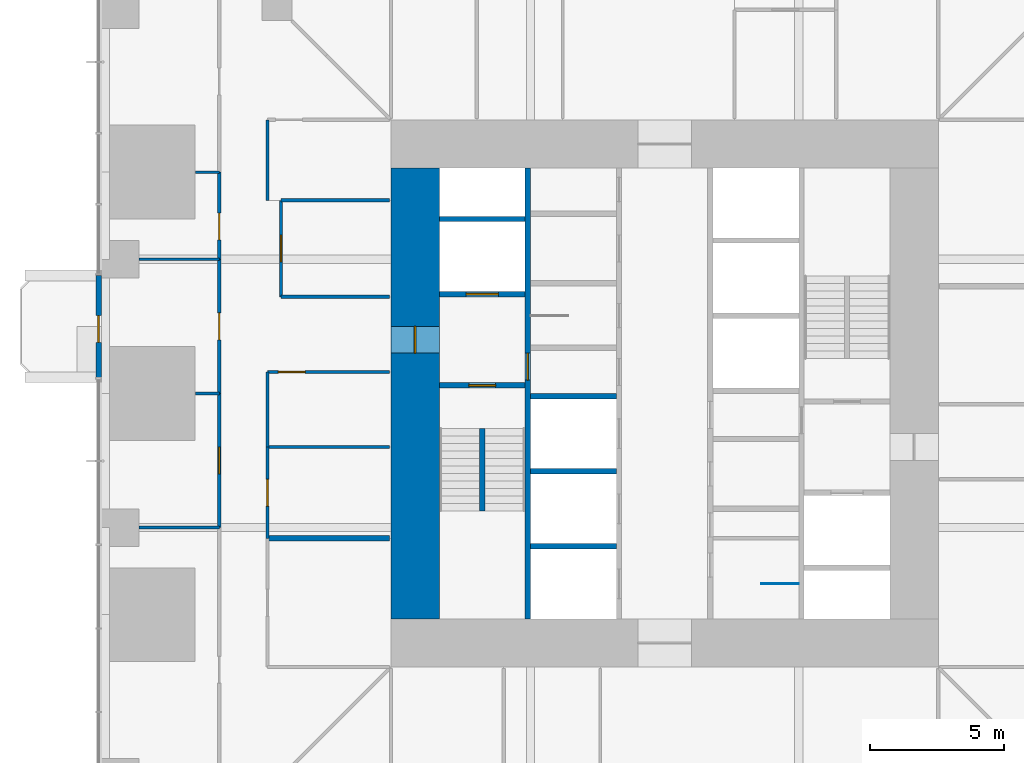
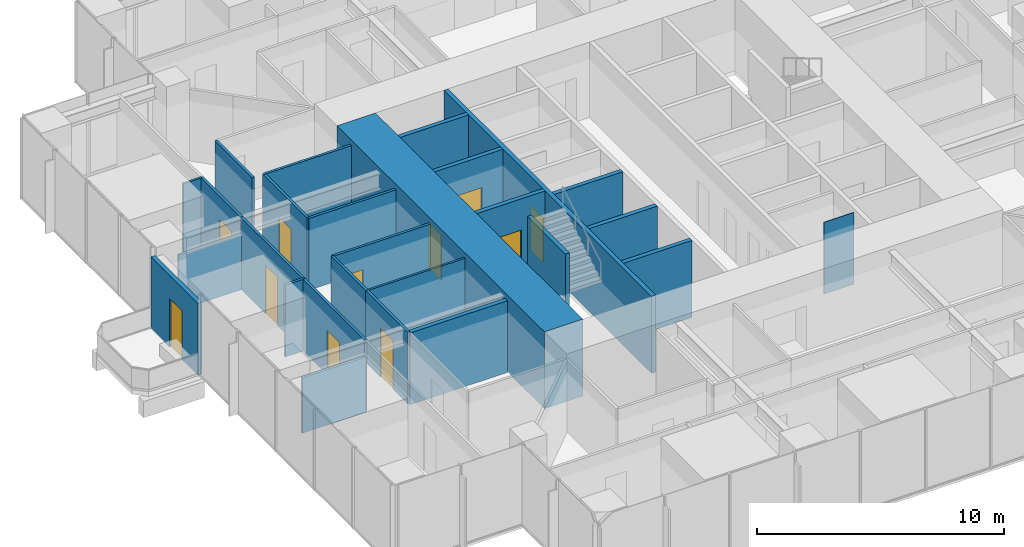
# One storey, part 10 of 17: 27 walls, 11 doors, 11 openings.
"""IFC4 building model written with IfcOpenShell, lengths in metres."""

from ifc_helpers import new_model, si_unit, direction, frame, frame_2d, origin, place, context, subcontext, project, spatial, rectangle, extrude, material, layer, layer_set, type_object, element, fill, save


model = new_model("IFC4")

# Units and contexts
model_context = context("Model", 3, precision=1e-05, world=origin(), true_north=direction((0.0, 1.0)))
body_context = subcontext(model_context, "Body", "Model", "MODEL_VIEW")
ifc_project = project(units=[si_unit("LENGTHUNIT", "METRE"), si_unit("AREAUNIT", "SQUARE_METRE"), si_unit("VOLUMEUNIT", "CUBIC_METRE"), si_unit("PLANEANGLEUNIT", "RADIAN"), si_unit("MASSUNIT", "GRAM", prefix="KILO")], contexts=[model_context])

# Site, building, storey
site_placement = place(None, origin())
site = spatial("IfcSite", under=ifc_project, at=site_placement, CompositionType="ELEMENT")
building_placement = place(site_placement, origin())
building = spatial("IfcBuilding", under=site, at=building_placement, Name="Svetlomir Tower", CompositionType="ELEMENT")
storey_placement = place(building_placement, frame((0.0, 0.0, 82.5)))
storey = spatial("IfcBuildingStorey", under=building, at=storey_placement, Name="L19", CompositionType="ELEMENT", Elevation=82.5)

# Wall
ifc_material_1 = material(Name="Gypsum board on twin steel studs", Category="steel")
ifc_layer_1 = layer(ifc_material_1, 0.199951171875)
ifc_layer_set_1 = layer_set([ifc_layer_1], Name="Gypsum board on twin steel studs")
wall_type_1 = type_object("IfcWallType", Name="ACOUSTIC PARTITION 200", PredefinedType="PARTITIONING", material=ifc_layer_set_1)
wall_1_placement = place(storey_placement, frame((6.199951171875, 15.60009765625, 0.0), z_axis=(0.0, 0.0, 1.0), x_axis=(1.0, 0.0, 0.0)))
element("IfcWall", 1, at=wall_1_placement, inside=storey, type_object=wall_type_1, Name="Acoustic partition L19", PredefinedType="PARTITIONING", context=body_context, shape_type="SweptSolid", body=[
    extrude(rectangle(XDim=4.550048828125, YDim=0.199951171875, at=frame_2d((2.27490234375, 0.0))), origin(), (0.0, 0.0, 1.0), 3.550048828125),
])

# Wall, opening, door
ifc_material_2 = material(Name="Bronze anodised aluminium glazed screen", Category="aluminium")
ifc_layer_2 = layer(ifc_material_2, 0.199951171875)
ifc_layer_set_2 = layer_set([ifc_layer_2], Name="Bronze anodised aluminium glazed screen")
wall_type_2 = type_object("IfcWallType", Name="BALCONY SCREEN WALL 200", PredefinedType="USERDEFINED", material=ifc_layer_set_2)
wall_2_placement = place(storey_placement, frame((-0.10009765625, 25.39990234375, 0.0), z_axis=(0.0, 0.0, 1.0), x_axis=(0.0, -1.0, 0.0)))
wall_2 = element("IfcWall", 2, at=wall_2_placement, inside=storey, type_object=wall_type_2, Name="Balcony screen W", ObjectType="GLAZED SCREEN", PredefinedType="USERDEFINED", context=body_context, shape_type="SweptSolid", body=[
    extrude(rectangle(XDim=3.7998046875, YDim=0.199951171875, at=frame_2d((1.89990234375, 0.0))), origin(), (0.0, 0.0, 1.0), 3.550048828125),
])
opening_1_placement = place(wall_2_placement, frame((1.5, 0.0, 0.0)))
opening_1 = element("IfcOpeningElement", 3, at=opening_1_placement, cuts=wall_2, Name="Opening BD", PredefinedType="OPENING", context=body_context, shape_type="SweptSolid", body=[
    extrude(rectangle(XDim=1.0, YDim=2.39990234375, at=frame_2d((0.5, 1.199951171875))), frame((0.0, 0.10986328125, 0.0), z_axis=(0.0, -1.0, 0.0), x_axis=(1.0, 0.0, 0.0)), (0.0, 0.0, 1.0), 0.219970703125),
])
ifc_material_3 = material(Name="Bronze anodised aluminium glazed door", Category="aluminium")
door_type_1 = type_object("IfcDoorType", Name="BALCONY DOOR BD 1000x2400", OperationType="SINGLE_SWING_LEFT", PredefinedType="DOOR", material=ifc_material_3)
door_1_placement = place(opening_1_placement, origin())
door_1 = element("IfcDoor", 4, at=door_1_placement, inside=storey, type_object=door_type_1, Name="Balcony screen W door", OperationType="SINGLE_SWING_LEFT", OverallHeight=2.39990234375, OverallWidth=1.0, PredefinedType="DOOR", context=body_context, shape_type="SweptSolid", body=[
    extrude(rectangle(XDim=1.0, YDim=2.39990234375, at=frame_2d((0.5, 1.199951171875))), frame((0.0, 0.02490234375, 0.0), z_axis=(0.0, -1.0, 0.0), x_axis=(1.0, 0.0, 0.0)), (0.0, 0.0, 1.0), 0.050048828125),
])
fill(opening_1, door_1)

ifc_material_4 = material(Name="Concrete C60/75", Category="concrete")
ifc_layer_3 = layer(ifc_material_4, 0.199951171875)
ifc_layer_set_3 = layer_set([ifc_layer_3], Name="Concrete C60/75")
wall_type_3 = type_object("IfcWallType", Name="CORE INNER WALL 200", PredefinedType="SHEAR", material=ifc_layer_set_3)
wall_3_placement = place(storey_placement, frame((15.89990234375, 12.60009765625, -0.050048828125), z_axis=(0.0, 0.0, 1.0), x_axis=(0.0, 1.0, 0.0)))
wall_3 = element("IfcWall", 5, at=wall_3_placement, inside=storey, type_object=wall_type_3, Name="Core inner wall 15.9 L19", PredefinedType="SHEAR", context=body_context, shape_type="SweptSolid", body=[
    extrude(rectangle(XDim=16.7998046875, YDim=0.199951171875, at=frame_2d((8.39990234375, 0.0))), origin(), (0.0, 0.0, 1.0), 3.800048828125),
])
opening_2_placement = place(wall_3_placement, frame((8.89990234375, 0.0, 0.050048828125)))
opening_2 = element("IfcOpeningElement", 6, at=opening_2_placement, cuts=wall_3, Name="Opening DF", PredefinedType="OPENING", context=body_context, shape_type="SweptSolid", body=[
    extrude(rectangle(XDim=1.0, YDim=2.199951171875, at=frame_2d((0.5, 1.10009765625))), frame((0.0, 0.10986328125, 0.0), z_axis=(0.0, -1.0, 0.0), x_axis=(1.0, 0.0, 0.0)), (0.0, 0.0, 1.0), 0.219970703125),
])
ifc_material_5 = material(Name="Steel fire door", Category="steel")
door_type_2 = type_object("IfcDoorType", Name="DOOR DF 1000x2200", OperationType="SINGLE_SWING_LEFT", PredefinedType="DOOR", material=ifc_material_5)
door_2_placement = place(opening_2_placement, origin())
door_2 = element("IfcDoor", 7, at=door_2_placement, inside=storey, type_object=door_type_2, Name="Core corridor west door L19", OperationType="SINGLE_SWING_LEFT", OverallHeight=2.199951171875, OverallWidth=1.0, PredefinedType="DOOR", context=body_context, shape_type="SweptSolid", body=[
    extrude(rectangle(XDim=1.0, YDim=2.199951171875, at=frame_2d((0.5, 1.10009765625))), frame((0.0, 0.02490234375, 0.0), z_axis=(0.0, -1.0, 0.0), x_axis=(1.0, 0.0, 0.0)), (0.0, 0.0, 1.0), 0.050048828125),
])
fill(opening_2, door_2)

wall_4_placement = place(storey_placement, frame((12.60009765625, 21.300048828125, -0.050048828125), z_axis=(0.0, 0.0, 1.0), x_axis=(1.0, 0.0, 0.0)))
wall_4 = element("IfcWall", 8, at=wall_4_placement, inside=storey, type_object=wall_type_3, Name="Core inner wall 12.6-15.8/21.3 L19", PredefinedType="SHEAR", context=body_context, shape_type="SweptSolid", body=[
    extrude(rectangle(XDim=3.199951171875, YDim=0.199951171875, at=frame_2d((1.60009765625, 0.0))), origin(), (0.0, 0.0, 1.0), 3.800048828125),
])
opening_3_placement = place(wall_4_placement, frame((1.10009765625, 0.0, 0.050048828125)))
opening_3 = element("IfcOpeningElement", 9, at=opening_3_placement, cuts=wall_4, Name="Opening DF", PredefinedType="OPENING", context=body_context, shape_type="SweptSolid", body=[
    extrude(rectangle(XDim=1.0, YDim=2.199951171875, at=frame_2d((0.5, 1.10009765625))), frame((0.0, 0.10986328125, 0.0), z_axis=(0.0, -1.0, 0.0), x_axis=(1.0, 0.0, 0.0)), (0.0, 0.0, 1.0), 0.219970703125),
])
door_3_placement = place(opening_3_placement, origin())
door_3 = element("IfcDoor", 10, at=door_3_placement, inside=storey, type_object=door_type_2, Name="Stair S1 door L19", OperationType="SINGLE_SWING_RIGHT", OverallHeight=2.199951171875, OverallWidth=1.0, PredefinedType="DOOR", context=body_context, shape_type="SweptSolid", body=[
    extrude(rectangle(XDim=1.0, YDim=2.199951171875, at=frame_2d((0.5, 1.10009765625))), frame((0.0, 0.02490234375, 0.0), z_axis=(0.0, -1.0, 0.0), x_axis=(1.0, 0.0, 0.0)), (0.0, 0.0, 1.0), 0.050048828125),
])
fill(opening_3, door_3)

wall_5_placement = place(storey_placement, frame((12.60009765625, 24.699951171875, -0.050048828125), z_axis=(0.0, 0.0, 1.0), x_axis=(1.0, 0.0, 0.0)))
wall_5 = element("IfcWall", 11, at=wall_5_placement, inside=storey, type_object=wall_type_3, Name="Core inner wall 12.6-15.8/24.7 L19", PredefinedType="SHEAR", context=body_context, shape_type="SweptSolid", body=[
    extrude(rectangle(XDim=3.199951171875, YDim=0.199951171875, at=frame_2d((1.60009765625, 0.0))), origin(), (0.0, 0.0, 1.0), 3.800048828125),
])
opening_4_placement = place(wall_5_placement, frame((1.0, 0.0, 0.050048828125)))
opening_4 = element("IfcOpeningElement", 12, at=opening_4_placement, cuts=wall_5, Name="Opening LD3", PredefinedType="OPENING", context=body_context, shape_type="SweptSolid", body=[
    extrude(rectangle(XDim=1.199951171875, YDim=2.199951171875, at=frame_2d((0.60009765625, 1.10009765625))), frame((0.0, 0.10986328125, 0.0), z_axis=(0.0, -1.0, 0.0), x_axis=(1.0, 0.0, 0.0)), (0.0, 0.0, 1.0), 0.219970703125),
])
ifc_material_6 = material(Name="Stainless steel fire-rated landing door", Category="steel")
door_type_3 = type_object("IfcDoorType", Name="FIREFIGHTING LIFT LANDING DOOR LD3 1200x2200", OperationType="DOUBLE_DOOR_SLIDING", PredefinedType="DOOR", material=ifc_material_6)
door_4_placement = place(opening_4_placement, origin())
door_4 = element("IfcDoor", 13, at=door_4_placement, inside=storey, type_object=door_type_3, Name="Landing door lift FL1 L19", OperationType="DOUBLE_DOOR_SLIDING", OverallHeight=2.199951171875, OverallWidth=1.199951171875, PredefinedType="DOOR", context=body_context, shape_type="SweptSolid", body=[
    extrude(rectangle(XDim=1.199951171875, YDim=2.199951171875, at=frame_2d((0.60009765625, 1.10009765625))), frame((0.0, 0.02490234375, 0.0), z_axis=(0.0, -1.0, 0.0), x_axis=(1.0, 0.0, 0.0)), (0.0, 0.0, 1.0), 0.050048828125),
])
fill(opening_4, door_4)

# Walls
for number, where, z_axis, x_axis, name in (
    (14, (12.60009765625, 27.5, -0.050048828125), (0.0, 0.0, 1.0), (1.0, 0.0, 0.0), "Core inner wall 12.6-15.8/27.5 L19"),
    (15, (16.0, 15.300048828125, -0.050048828125), (0.0, 0.0, 1.0), (1.0, 0.0, 0.0), "Core inner wall 16-19.2/15.3 L19"),
    (16, (16.0, 18.10009765625, -0.050048828125), (0.0, 0.0, 1.0), (1.0, 0.0, 0.0), "Core inner wall 16-19.2/18.1 L19"),
    (17, (16.0, 20.89990234375, -0.050048828125), (0.0, 0.0, 1.0), (1.0, 0.0, 0.0), "Core inner wall 16-19.2/20.9 L19"),
):
    element("IfcWall", number, at=place(storey_placement, frame(where, z_axis=z_axis, x_axis=x_axis)), inside=storey, type_object=wall_type_3, Name=name, PredefinedType="SHEAR", context=body_context, shape_type="SweptSolid", body=[
        extrude(rectangle(XDim=3.199951171875, YDim=0.199951171875, at=frame_2d((1.60009765625, 0.0))), origin(), (0.0, 0.0, 1.0), 3.800048828125),
    ])

# Wall, opening, door
ifc_material_7 = material(Name="Concrete C60/75", Category="concrete")
ifc_layer_4 = layer(ifc_material_7, 1.800048828125)
ifc_layer_set_4 = layer_set([ifc_layer_4], Name="Concrete C60/75")
wall_type_4 = type_object("IfcWallType", Name="CORE WALL 1800", PredefinedType="SHEAR", material=ifc_layer_set_4)
wall_6_placement = place(storey_placement, frame((11.699951171875, 12.60009765625, -0.050048828125), z_axis=(0.0, 0.0, 1.0), x_axis=(0.0, 1.0, 0.0)))
wall_6 = element("IfcWall", 18, at=wall_6_placement, inside=storey, type_object=wall_type_4, Name="Core wall west L19", PredefinedType="SHEAR", context=body_context, shape_type="SweptSolid", body=[
    extrude(rectangle(XDim=16.7998046875, YDim=1.800048828125, at=frame_2d((8.39990234375, 0.0))), origin(), (0.0, 0.0, 1.0), 3.800048828125),
])
opening_5_placement = place(wall_6_placement, frame((9.89990234375, 0.0, 0.050048828125)))
opening_5 = element("IfcOpeningElement", 19, at=opening_5_placement, cuts=wall_6, Name="Opening DF", PredefinedType="OPENING", context=body_context, shape_type="SweptSolid", body=[
    extrude(rectangle(XDim=1.0, YDim=2.199951171875, at=frame_2d((0.5, 1.10009765625))), frame((0.0, 0.91015625, 0.0), z_axis=(0.0, -1.0, 0.0), x_axis=(1.0, 0.0, 0.0)), (0.0, 0.0, 1.0), 1.820068359375),
])
door_5_placement = place(opening_5_placement, origin())
door_5 = element("IfcDoor", 20, at=door_5_placement, inside=storey, type_object=door_type_2, Name="Firefighting lobby west door L19", OperationType="SINGLE_SWING_RIGHT", OverallHeight=2.199951171875, OverallWidth=1.0, PredefinedType="DOOR", context=body_context, shape_type="SweptSolid", body=[
    extrude(rectangle(XDim=1.0, YDim=2.199951171875, at=frame_2d((0.5, 1.10009765625))), frame((0.0, 0.02490234375, 0.0), z_axis=(0.0, -1.0, 0.0), x_axis=(1.0, 0.0, 0.0)), (0.0, 0.0, 1.0), 0.050048828125),
])
fill(opening_5, door_5)

# Walls
ifc_material_8 = material(Name="Framed laminated glass partition", Category="glass")
ifc_layer_5 = layer(ifc_material_8, 0.10009765625)
ifc_layer_set_5 = layer_set([ifc_layer_5], Name="Framed laminated glass partition")
wall_type_5 = type_object("IfcWallType", Name="GLAZED PARTITION 100", PredefinedType="PARTITIONING", material=ifc_layer_set_5)
wall_7_placement = place(storey_placement, frame((1.409912109375, 26.0, 0.0), z_axis=(0.0, 0.0, 1.0), x_axis=(1.0, 0.0, 0.0)))
element("IfcWall", 21, at=wall_7_placement, inside=storey, type_object=wall_type_5, Name="Glazed partition L19", PredefinedType="PARTITIONING", context=body_context, shape_type="SweptSolid", body=[
    extrude(rectangle(XDim=2.989990234375, YDim=0.10009765625, at=frame_2d((1.4951171875, 0.0))), origin(), (0.0, 0.0, 1.0), 2.736083984375),
])
wall_8_placement = place(storey_placement, frame((3.510009765625, 29.25, 0.0), z_axis=(0.0, 0.0, 1.0), x_axis=(1.0, 0.0, 0.0)))
element("IfcWall", 22, at=wall_8_placement, inside=storey, type_object=wall_type_5, Name="Glazed partition L19", PredefinedType="PARTITIONING", context=body_context, shape_type="SweptSolid", body=[
    extrude(rectangle(XDim=0.889892578125, YDim=0.10009765625, at=frame_2d((0.44482421875, 0.0))), origin(), (0.0, 0.0, 1.0), 3.550048828125),
])
wall_9_placement = place(storey_placement, frame((6.199951171875, 19.0, 0.0), z_axis=(0.0, 0.0, 1.0), x_axis=(1.0, 0.0, 0.0)))
element("IfcWall", 23, at=wall_9_placement, inside=storey, type_object=wall_type_5, Name="Glazed partition L19", PredefinedType="PARTITIONING", context=body_context, shape_type="SweptSolid", body=[
    extrude(rectangle(XDim=4.550048828125, YDim=0.10009765625, at=frame_2d((2.27490234375, 0.0))), origin(), (0.0, 0.0, 1.0), 3.550048828125),
])
ifc_material_9 = material(Name="Gypsum board on steel studs", Category="steel")
ifc_layer_6 = layer(ifc_material_9, 0.1201171875)
ifc_layer_set_6 = layer_set([ifc_layer_6], Name="Gypsum board on steel studs")
wall_type_6 = type_object("IfcWallType", Name="PARTITION 120", PredefinedType="PARTITIONING", material=ifc_layer_set_6)
wall_10_placement = place(storey_placement, frame((1.409912109375, 16.0, 0.0), z_axis=(0.0, 0.0, 1.0), x_axis=(1.0, 0.0, 0.0)))
element("IfcWall", 24, at=wall_10_placement, inside=storey, type_object=wall_type_6, Name="Partition L19", PredefinedType="PARTITIONING", context=body_context, shape_type="SweptSolid", body=[
    extrude(rectangle(XDim=2.989990234375, YDim=0.1201171875, at=frame_2d((1.4951171875, 0.0))), origin(), (0.0, 0.0, 1.0), 2.736083984375),
])
wall_11_placement = place(storey_placement, frame((3.510009765625, 21.0, 0.0), z_axis=(0.0, 0.0, 1.0), x_axis=(1.0, 0.0, 0.0)))
element("IfcWall", 25, at=wall_11_placement, inside=storey, type_object=wall_type_6, Name="Partition L19", PredefinedType="PARTITIONING", context=body_context, shape_type="SweptSolid", body=[
    extrude(rectangle(XDim=0.889892578125, YDim=0.1201171875, at=frame_2d((0.44482421875, 0.0))), origin(), (0.0, 0.0, 1.0), 3.550048828125),
])

# Wall, opening, door
wall_12_placement = place(storey_placement, frame((4.39990234375, 16.0, 0.0), z_axis=(0.0, 0.0, 1.0), x_axis=(0.0, 1.0, 0.0)))
wall_12 = element("IfcWall", 26, at=wall_12_placement, inside=storey, type_object=wall_type_6, Name="Partition L19", PredefinedType="PARTITIONING", context=body_context, shape_type="SweptSolid", body=[
    extrude(rectangle(XDim=5.0, YDim=0.1201171875, at=frame_2d((2.5, 0.0))), origin(), (0.0, 0.0, 1.0), 3.550048828125),
])
opening_6_placement = place(wall_12_placement, frame((2.0, 0.0, 0.0)))
opening_6 = element("IfcOpeningElement", 27, at=opening_6_placement, cuts=wall_12, Name="Opening DR", PredefinedType="OPENING", context=body_context, shape_type="SweptSolid", body=[
    extrude(rectangle(XDim=1.0, YDim=2.199951171875, at=frame_2d((0.5, 1.10009765625))), frame((0.0, 0.070068359375, 0.0), z_axis=(0.0, -1.0, 0.0), x_axis=(1.0, 0.0, 0.0)), (0.0, 0.0, 1.0), 0.14013671875),
])
ifc_material_10 = material(Name="Timber door, glazed side light", Category="wood")
door_type_4 = type_object("IfcDoorType", Name="DOOR DR 1000x2200", OperationType="SINGLE_SWING_LEFT", PredefinedType="DOOR", material=ifc_material_10)
door_6_placement = place(opening_6_placement, origin())
door_6 = element("IfcDoor", 28, at=door_6_placement, inside=storey, type_object=door_type_4, Name="Investigations office door L19", OperationType="SINGLE_SWING_RIGHT", OverallHeight=2.199951171875, OverallWidth=1.0, PredefinedType="DOOR", context=body_context, shape_type="SweptSolid", body=[
    extrude(rectangle(XDim=1.0, YDim=2.199951171875, at=frame_2d((0.5, 1.10009765625))), frame((0.0, 0.02490234375, 0.0), z_axis=(0.0, -1.0, 0.0), x_axis=(1.0, 0.0, 0.0)), (0.0, 0.0, 1.0), 0.050048828125),
])
fill(opening_6, door_6)

wall_13_placement = place(storey_placement, frame((4.39990234375, 21.0, 0.0), z_axis=(0.0, 0.0, 1.0), x_axis=(0.0, 1.0, 0.0)))
wall_13 = element("IfcWall", 29, at=wall_13_placement, inside=storey, type_object=wall_type_6, Name="Partition L19", PredefinedType="PARTITIONING", context=body_context, shape_type="SweptSolid", body=[
    extrude(rectangle(XDim=5.0, YDim=0.1201171875, at=frame_2d((2.5, 0.0))), origin(), (0.0, 0.0, 1.0), 3.550048828125),
])
opening_7_placement = place(wall_13_placement, frame((2.0, 0.0, 0.0)))
opening_7 = element("IfcOpeningElement", 30, at=opening_7_placement, cuts=wall_13, Name="Opening DG", PredefinedType="OPENING", context=body_context, shape_type="SweptSolid", body=[
    extrude(rectangle(XDim=1.0, YDim=2.39990234375, at=frame_2d((0.5, 1.199951171875))), frame((0.0, 0.070068359375, 0.0), z_axis=(0.0, -1.0, 0.0), x_axis=(1.0, 0.0, 0.0)), (0.0, 0.0, 1.0), 0.14013671875),
])
ifc_material_11 = material(Name="Framed laminated glass door", Category="glass")
door_type_5 = type_object("IfcDoorType", Name="GLAZED DOOR DG 1000x2400", OperationType="SINGLE_SWING_LEFT", PredefinedType="DOOR", material=ifc_material_11)
door_7_placement = place(opening_7_placement, origin())
door_7 = element("IfcDoor", 31, at=door_7_placement, inside=storey, type_object=door_type_5, Name="Ring corridor 3 door 2 L19", OperationType="SINGLE_SWING_LEFT", OverallHeight=2.39990234375, OverallWidth=1.0, PredefinedType="DOOR", context=body_context, shape_type="SweptSolid", body=[
    extrude(rectangle(XDim=1.0, YDim=2.39990234375, at=frame_2d((0.5, 1.199951171875))), frame((0.0, 0.02490234375, 0.0), z_axis=(0.0, -1.0, 0.0), x_axis=(1.0, 0.0, 0.0)), (0.0, 0.0, 1.0), 0.050048828125),
])
fill(opening_7, door_7)

wall_14_placement = place(storey_placement, frame((4.39990234375, 26.0, 0.0), z_axis=(0.0, 0.0, 1.0), x_axis=(0.0, 1.0, 0.0)))
wall_14 = element("IfcWall", 32, at=wall_14_placement, inside=storey, type_object=wall_type_6, Name="Partition L19", PredefinedType="PARTITIONING", context=body_context, shape_type="SweptSolid", body=[
    extrude(rectangle(XDim=3.25, YDim=0.1201171875, at=frame_2d((1.625, 0.0))), origin(), (0.0, 0.0, 1.0), 3.550048828125),
])
opening_8_placement = place(wall_14_placement, frame((0.72509765625, 0.0, 0.0)))
opening_8 = element("IfcOpeningElement", 33, at=opening_8_placement, cuts=wall_14, Name="Opening DG", PredefinedType="OPENING", context=body_context, shape_type="SweptSolid", body=[
    extrude(rectangle(XDim=1.0, YDim=2.39990234375, at=frame_2d((0.5, 1.199951171875))), frame((0.0, 0.070068359375, 0.0), z_axis=(0.0, -1.0, 0.0), x_axis=(1.0, 0.0, 0.0)), (0.0, 0.0, 1.0), 0.14013671875),
])
door_8_placement = place(opening_8_placement, origin())
door_8 = element("IfcDoor", 34, at=door_8_placement, inside=storey, type_object=door_type_5, Name="Audit analytics room door L19", OperationType="SINGLE_SWING_LEFT", OverallHeight=2.39990234375, OverallWidth=1.0, PredefinedType="DOOR", context=body_context, shape_type="SweptSolid", body=[
    extrude(rectangle(XDim=1.0, YDim=2.39990234375, at=frame_2d((0.5, 1.199951171875))), frame((0.0, 0.02490234375, 0.0), z_axis=(0.0, -1.0, 0.0), x_axis=(1.0, 0.0, 0.0)), (0.0, 0.0, 1.0), 0.050048828125),
])
fill(opening_8, door_8)

wall_15_placement = place(storey_placement, frame((6.199951171875, 15.60009765625, 0.0), z_axis=(0.0, 0.0, 1.0), x_axis=(0.0, 1.0, 0.0)))
wall_15 = element("IfcWall", 35, at=wall_15_placement, inside=storey, type_object=wall_type_6, Name="Partition L19", PredefinedType="PARTITIONING", context=body_context, shape_type="SweptSolid", body=[
    extrude(rectangle(XDim=3.39990234375, YDim=0.1201171875, at=frame_2d((1.699951171875, 0.0))), origin(), (0.0, 0.0, 1.0), 3.550048828125),
])
opening_9_placement = place(wall_15_placement, frame((1.199951171875, 0.0, 0.0)))
opening_9 = element("IfcOpeningElement", 36, at=opening_9_placement, cuts=wall_15, Name="Opening DG", PredefinedType="OPENING", context=body_context, shape_type="SweptSolid", body=[
    extrude(rectangle(XDim=1.0, YDim=2.39990234375, at=frame_2d((0.5, 1.199951171875))), frame((0.0, 0.070068359375, 0.0), z_axis=(0.0, -1.0, 0.0), x_axis=(1.0, 0.0, 0.0)), (0.0, 0.0, 1.0), 0.14013671875),
])
door_9_placement = place(opening_9_placement, origin())
door_9 = element("IfcDoor", 37, at=door_9_placement, inside=storey, type_object=door_type_5, Name="Investigations interview room door L19", OperationType="SINGLE_SWING_RIGHT", OverallHeight=2.39990234375, OverallWidth=1.0, PredefinedType="DOOR", context=body_context, shape_type="SweptSolid", body=[
    extrude(rectangle(XDim=1.0, YDim=2.39990234375, at=frame_2d((0.5, 1.199951171875))), frame((0.0, 0.02490234375, 0.0), z_axis=(0.0, -1.0, 0.0), x_axis=(1.0, 0.0, 0.0)), (0.0, 0.0, 1.0), 0.050048828125),
])
fill(opening_9, door_9)

# Wall
wall_16_placement = place(storey_placement, frame((6.199951171875, 19.0, 0.0), z_axis=(0.0, 0.0, 1.0), x_axis=(0.0, 1.0, 0.0)))
element("IfcWall", 38, at=wall_16_placement, inside=storey, type_object=wall_type_6, Name="Partition L19", PredefinedType="PARTITIONING", context=body_context, shape_type="SweptSolid", body=[
    extrude(rectangle(XDim=2.800048828125, YDim=0.1201171875, at=frame_2d((1.39990234375, 0.0))), origin(), (0.0, 0.0, 1.0), 3.550048828125),
])

# Wall, opening, door
wall_17_placement = place(storey_placement, frame((6.199951171875, 21.800048828125, 0.0), z_axis=(0.0, 0.0, 1.0), x_axis=(1.0, 0.0, 0.0)))
wall_17 = element("IfcWall", 39, at=wall_17_placement, inside=storey, type_object=wall_type_6, Name="Partition L19", PredefinedType="PARTITIONING", context=body_context, shape_type="SweptSolid", body=[
    extrude(rectangle(XDim=4.550048828125, YDim=0.1201171875, at=frame_2d((2.27490234375, 0.0))), origin(), (0.0, 0.0, 1.0), 3.550048828125),
])
opening_10_placement = place(wall_17_placement, frame((0.39990234375, 0.0, 0.0)))
opening_10 = element("IfcOpeningElement", 40, at=opening_10_placement, cuts=wall_17, Name="Opening DG", PredefinedType="OPENING", context=body_context, shape_type="SweptSolid", body=[
    extrude(rectangle(XDim=1.0, YDim=2.39990234375, at=frame_2d((0.5, 1.199951171875))), frame((0.0, 0.070068359375, 0.0), z_axis=(0.0, -1.0, 0.0), x_axis=(1.0, 0.0, 0.0)), (0.0, 0.0, 1.0), 0.14013671875),
])
door_10_placement = place(opening_10_placement, origin())
door_10 = element("IfcDoor", 41, at=door_10_placement, inside=storey, type_object=door_type_5, Name="Ring corridor 3 door 5 L19", OperationType="SINGLE_SWING_LEFT", OverallHeight=2.39990234375, OverallWidth=1.0, PredefinedType="DOOR", context=body_context, shape_type="SweptSolid", body=[
    extrude(rectangle(XDim=1.0, YDim=2.39990234375, at=frame_2d((0.5, 1.199951171875))), frame((0.0, 0.02490234375, 0.0), z_axis=(0.0, -1.0, 0.0), x_axis=(1.0, 0.0, 0.0)), (0.0, 0.0, 1.0), 0.050048828125),
])
fill(opening_10, door_10)

# Wall
wall_18_placement = place(storey_placement, frame((6.199951171875, 28.199951171875, 0.0), z_axis=(0.0, 0.0, 1.0), x_axis=(0.0, 1.0, 0.0)))
element("IfcWall", 42, at=wall_18_placement, inside=storey, type_object=wall_type_6, Name="Partition L19", PredefinedType="PARTITIONING", context=body_context, shape_type="SweptSolid", body=[
    extrude(rectangle(XDim=3.0, YDim=0.1201171875, at=frame_2d((1.5, 0.0))), origin(), (0.0, 0.0, 1.0), 3.550048828125),
])

# Wall, opening, door
wall_19_placement = place(storey_placement, frame((6.699951171875, 24.60009765625, 0.0), z_axis=(0.0, 0.0, 1.0), x_axis=(0.0, 1.0, 0.0)))
wall_19 = element("IfcWall", 43, at=wall_19_placement, inside=storey, type_object=wall_type_6, Name="Partition L19", PredefinedType="PARTITIONING", context=body_context, shape_type="SweptSolid", body=[
    extrude(rectangle(XDim=3.599853515625, YDim=0.1201171875, at=frame_2d((1.7998046875, 0.0))), origin(), (0.0, 0.0, 1.0), 3.550048828125),
])
opening_11_placement = place(wall_19_placement, frame((1.300048828125, 0.0, 0.0)))
opening_11 = element("IfcOpeningElement", 44, at=opening_11_placement, cuts=wall_19, Name="Opening DR", PredefinedType="OPENING", context=body_context, shape_type="SweptSolid", body=[
    extrude(rectangle(XDim=1.0, YDim=2.199951171875, at=frame_2d((0.5, 1.10009765625))), frame((0.0, 0.070068359375, 0.0), z_axis=(0.0, -1.0, 0.0), x_axis=(1.0, 0.0, 0.0)), (0.0, 0.0, 1.0), 0.14013671875),
])
door_11_placement = place(opening_11_placement, origin())
door_11 = element("IfcDoor", 45, at=door_11_placement, inside=storey, type_object=door_type_4, Name="Evidence store door L19", OperationType="SINGLE_SWING_LEFT", OverallHeight=2.199951171875, OverallWidth=1.0, PredefinedType="DOOR", context=body_context, shape_type="SweptSolid", body=[
    extrude(rectangle(XDim=1.0, YDim=2.199951171875, at=frame_2d((0.5, 1.10009765625))), frame((0.0, 0.02490234375, 0.0), z_axis=(0.0, -1.0, 0.0), x_axis=(1.0, 0.0, 0.0)), (0.0, 0.0, 1.0), 0.050048828125),
])
fill(opening_11, door_11)

# Walls
for number, where, z_axis, x_axis, name in (
    (46, (6.699951171875, 24.60009765625, 0.0), (0.0, 0.0, 1.0), (1.0, 0.0, 0.0), "Partition L19"),
    (47, (6.699951171875, 28.199951171875, 0.0), (0.0, 0.0, 1.0), (1.0, 0.0, 0.0), "Partition L19"),
):
    element("IfcWall", number, at=place(storey_placement, frame(where, z_axis=z_axis, x_axis=x_axis)), inside=storey, type_object=wall_type_6, Name=name, PredefinedType="PARTITIONING", context=body_context, shape_type="SweptSolid", body=[
        extrude(rectangle(XDim=4.050048828125, YDim=0.1201171875, at=frame_2d((2.02490234375, 0.0))), origin(), (0.0, 0.0, 1.0), 3.550048828125),
    ])
ifc_material_12 = material(Name="Concrete C60/75", Category="concrete")
ifc_layer_7 = layer(ifc_material_12, 0.199951171875)
ifc_layer_set_7 = layer_set([ifc_layer_7], Name="Concrete C60/75")
wall_type_7 = type_object("IfcWallType", Name="STAIR SPINE WALL 200", PredefinedType="PARTITIONING", material=ifc_layer_set_7)
wall_20_placement = place(storey_placement, frame((14.199951171875, 16.6201171875, 0.0), z_axis=(0.0, 0.0, 1.0), x_axis=(0.0, 1.0, 0.0)))
element("IfcWall", 48, at=wall_20_placement, inside=storey, type_object=wall_type_7, Name="Stair S1 spine wall L19", PredefinedType="PARTITIONING", context=body_context, shape_type="SweptSolid", body=[
    extrude(rectangle(XDim=3.079833984375, YDim=0.199951171875, at=frame_2d((1.5400390625, 0.0))), origin(), (0.0, 0.0, 1.0), 4.0),
])
ifc_material_13 = material(Name="Compact laminate panel", Category="plastic")
ifc_layer_8 = layer(ifc_material_13, 0.030029296875)
ifc_layer_set_8 = layer_set([ifc_layer_8], Name="Compact laminate panel")
wall_type_8 = type_object("IfcWallType", Name="WC CUBICLE PARTITION 30", PredefinedType="PARTITIONING", material=ifc_layer_set_8)
wall_21_placement = place(storey_placement, frame((24.60009765625, 13.89990234375, 0.0), z_axis=(0.0, 0.0, 1.0), x_axis=(1.0, 0.0, 0.0)))
element("IfcWall", 49, at=wall_21_placement, inside=storey, type_object=wall_type_8, Name="WC cubicle partition L19", PredefinedType="PARTITIONING", context=body_context, shape_type="SweptSolid", body=[
    extrude(rectangle(XDim=1.39990234375, YDim=0.030029296875, at=frame_2d((0.699951171875, 0.0))), origin(), (0.0, 0.0, 1.0), 3.550048828125),
])

save(model, "model.ifc")
